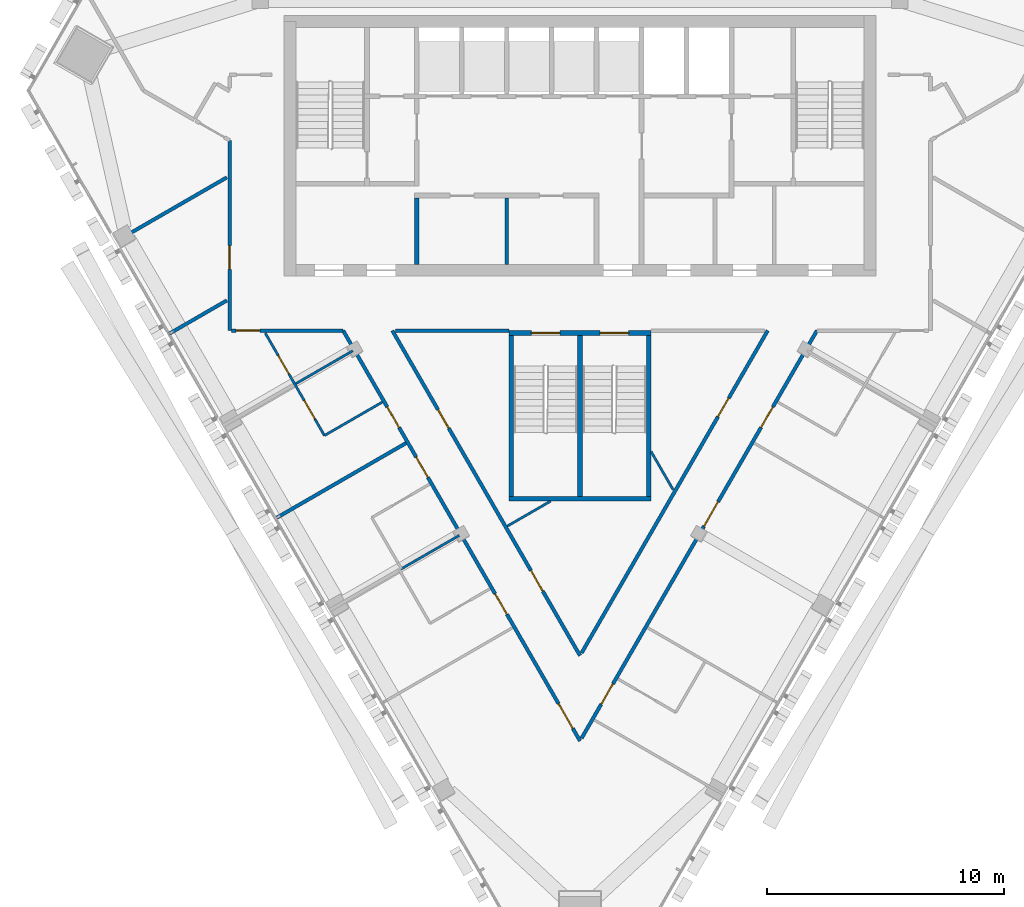
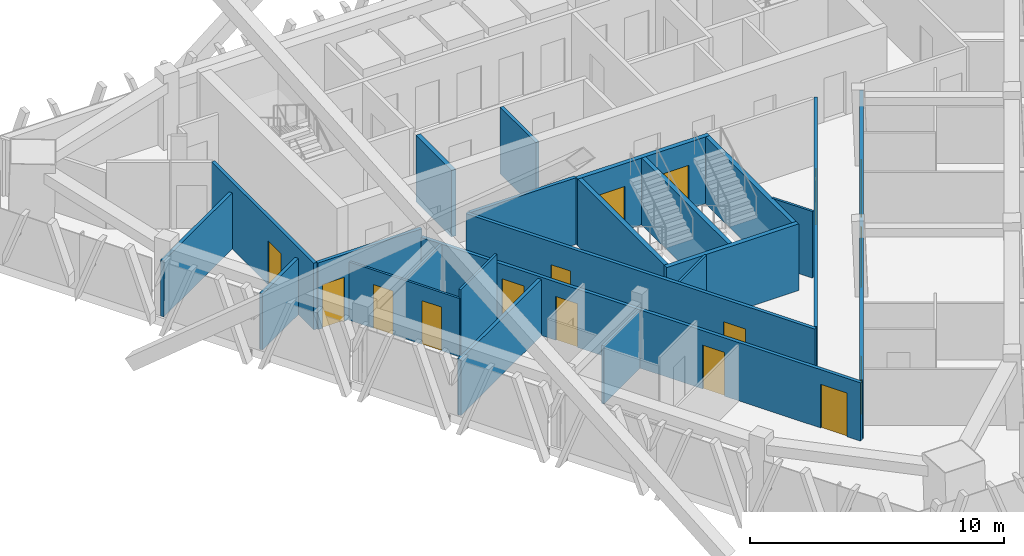
# One storey, part 8 of 14: 23 walls, 16 doors, 16 openings.
"""IFC4 building model written with IfcOpenShell, lengths in metres."""

from ifc_helpers import new_model, si_unit, direction, frame, frame_2d, origin, place, context, subcontext, project, spatial, rectangle, extrude, material, layer, layer_set, type_object, element, fill, save


model = new_model("IFC4")

# Units and contexts
model_context = context("Model", 3, precision=1e-05, world=origin(), true_north=direction((0.0, 1.0)))
body_context = subcontext(model_context, "Body", "Model", "MODEL_VIEW")
ifc_project = project(units=[si_unit("LENGTHUNIT", "METRE"), si_unit("AREAUNIT", "SQUARE_METRE"), si_unit("VOLUMEUNIT", "CUBIC_METRE"), si_unit("PLANEANGLEUNIT", "RADIAN"), si_unit("MASSUNIT", "GRAM", prefix="KILO")], contexts=[model_context])

# Site, building, storey
site_placement = place(None, origin())
site = spatial("IfcSite", under=ifc_project, at=site_placement, CompositionType="ELEMENT")
building_placement = place(site_placement, origin())
building = spatial("IfcBuilding", under=site, at=building_placement, Name="Altiplano Prism Tower", CompositionType="ELEMENT")
storey_placement = place(building_placement, frame((0.0, 0.0, 264.39990234375)))
storey = spatial("IfcBuildingStorey", under=building, at=storey_placement, Name="L68", CompositionType="ELEMENT", Elevation=264.39990234375)

# Wall, openings, doors
ifc_material_1 = material(Name="Plasterboard on steel stud", Category="steel")
ifc_layer_1 = layer(ifc_material_1, 0.10009765625)
ifc_layer_set_1 = layer_set([ifc_layer_1], Name="Plasterboard on steel stud")
wall_type_1 = type_object("IfcWallType", Name="Partition 100 unit", PredefinedType="PARTITIONING", material=ifc_layer_set_1)
wall_1_placement = place(storey_placement, frame((74.2060546875, 86.16845703125, 0.0), z_axis=(0.0, 0.0, 1.0), x_axis=(-0.500004234368, 0.866022959057, 0.0)))
wall_1 = element("IfcWall", 1, at=wall_1_placement, inside=storey, type_object=wall_type_1, Name="Partition P02 L68 027", PredefinedType="PARTITIONING", context=body_context, shape_type="SweptSolid", body=[
    extrude(rectangle(XDim=5.0, YDim=0.10009765625, at=frame_2d((2.5, 0.0))), origin(), (0.0, 0.0, 1.0), 2.800048828125),
])
opening_1_placement = place(wall_1_placement, frame((3.001953125, 0.0, 0.0)))
opening_1 = element("IfcOpeningElement", 2, at=opening_1_placement, cuts=wall_1, Name="Opening D2160", PredefinedType="OPENING", context=body_context, shape_type="SweptSolid", body=[
    extrude(rectangle(XDim=0.89990234375, YDim=2.10009765625, at=frame_2d((0.449951171875, 1.050048828125))), frame((0.0, 0.060546875, 0.0), z_axis=(0.0, -1.0, 0.0), x_axis=(1.0, 0.0, 0.0)), (0.0, 0.0, 1.0), 0.12109375),
])
opening_2_placement = place(wall_1_placement, frame((0.800048828125, 0.0, 0.0)))
opening_2 = element("IfcOpeningElement", 3, at=opening_2_placement, cuts=wall_1, Name="Opening D2162", PredefinedType="OPENING", context=body_context, shape_type="SweptSolid", body=[
    extrude(rectangle(XDim=0.89990234375, YDim=2.10009765625, at=frame_2d((0.449951171875, 1.050048828125))), frame((0.0, 0.060546875, 0.0), z_axis=(0.0, -1.0, 0.0), x_axis=(1.0, 0.0, 0.0)), (0.0, 0.0, 1.0), 0.12109375),
])
ifc_material_2 = material(Name="Timber", Category="wood")
door_type_1 = type_object("IfcDoorType", Name="Ensuite door 900 x 2100", OperationType="NOTDEFINED", PredefinedType="NOTDEFINED", material=ifc_material_2)
door_1_placement = place(opening_1_placement, origin())
door_1 = element("IfcDoor", 4, at=door_1_placement, inside=storey, type_object=door_type_1, Name="Door D2160", OperationType="SINGLE_SWING_LEFT", OverallHeight=2.10009765625, OverallWidth=0.89990234375, PredefinedType="NOTDEFINED", context=body_context, shape_type="SweptSolid", body=[
    extrude(rectangle(XDim=0.89990234375, YDim=2.10009765625, at=frame_2d((0.449951171875, 1.050048828125))), frame((0.0, 0.02490234375, 0.0), z_axis=(0.0, -1.0, 0.0), x_axis=(1.0, 0.0, 0.0)), (0.0, 0.0, 1.0), 0.050048828125),
])
fill(opening_1, door_1)
door_2_placement = place(opening_2_placement, origin())
door_2 = element("IfcDoor", 5, at=door_2_placement, inside=storey, type_object=door_type_1, Name="Door D2162", OperationType="SINGLE_SWING_RIGHT", OverallHeight=2.10009765625, OverallWidth=0.89990234375, PredefinedType="NOTDEFINED", context=body_context, shape_type="SweptSolid", body=[
    extrude(rectangle(XDim=0.89990234375, YDim=2.10009765625, at=frame_2d((0.449951171875, 1.050048828125))), frame((0.0, 0.02490234375, 0.0), z_axis=(0.0, -1.0, 0.0), x_axis=(1.0, 0.0, 0.0)), (0.0, 0.0, 1.0), 0.050048828125),
])
fill(opening_2, door_2)

# Walls
wall_2_placement = place(storey_placement, frame((76.652587890625, 87.580810546875, 0.0), z_axis=(0.0, 0.0, 1.0), x_axis=(-0.866048868473, -0.499959355765, 0.0)))
element("IfcWall", 6, at=wall_2_placement, inside=storey, type_object=wall_type_1, Name="Partition P02 L68 030", PredefinedType="PARTITIONING", context=body_context, shape_type="SweptSolid", body=[
    extrude(rectangle(XDim=2.824951171875, YDim=0.10009765625, at=frame_2d((1.41259765625, 0.0))), origin(), (0.0, 0.0, 1.0), 3.2001953125),
])
ifc_layer_2 = layer(ifc_material_1, 0.10009765625)
ifc_layer_set_2 = layer_set([ifc_layer_2], Name="Plasterboard on steel stud")
wall_type_2 = type_object("IfcWallType", Name="Partition 100 wet", PredefinedType="PARTITIONING", material=ifc_layer_set_2)
wall_3_placement = place(storey_placement, frame((88.0, 85.4921875, 0.0), z_axis=(0.0, 0.0, 1.0), x_axis=(0.499991230095, -0.866030467032, 0.0)))
element("IfcWall", 7, at=wall_3_placement, inside=storey, type_object=wall_type_2, Name="Partition P03 L68 021", PredefinedType="PARTITIONING", context=body_context, shape_type="SweptSolid", body=[
    extrude(rectangle(XDim=1.86083984375, YDim=0.10009765625, at=frame_2d((0.930419921875, 0.0))), origin(), (0.0, 0.0, 1.0), 3.2001953125),
])
wall_4_placement = place(storey_placement, frame((81.928955078125, 82.342041015625, 0.0), z_axis=(0.0, 0.0, 1.0), x_axis=(0.866026091839, 0.499998808253, 0.0)))
element("IfcWall", 8, at=wall_4_placement, inside=storey, type_object=wall_type_2, Name="Partition P03 L68 022", PredefinedType="PARTITIONING", context=body_context, shape_type="SweptSolid", body=[
    extrude(rectangle(XDim=2.11572265625, YDim=0.10009765625, at=frame_2d((1.057861328125, 0.0))), origin(), (0.0, 0.0, 1.0), 3.2001953125),
])
wall_5_placement = place(storey_placement, frame((72.999267578125, 88.3583984375, 0.0), z_axis=(0.0, 0.0, 1.0), x_axis=(0.866042014628, 0.499971228071, 0.0)))
element("IfcWall", 9, at=wall_5_placement, inside=storey, type_object=wall_type_2, Name="Partition P03 L68 029", PredefinedType="PARTITIONING", context=body_context, shape_type="SweptSolid", body=[
    extrude(rectangle(XDim=2.775146484375, YDim=0.10009765625, at=frame_2d((1.3876953125, 0.0))), origin(), (0.0, 0.0, 1.0), 2.800048828125),
])
wall_6_placement = place(storey_placement, frame((77.438720703125, 80.529296875, 0.0), z_axis=(0.0, 0.0, 1.0), x_axis=(0.866048401274, 0.499960165064, 0.0)))
element("IfcWall", 10, at=wall_6_placement, inside=storey, type_object=wall_type_2, Name="Partition P03 L68 036", PredefinedType="PARTITIONING", context=body_context, shape_type="SweptSolid", body=[
    extrude(rectangle(XDim=2.844970703125, YDim=0.10009765625, at=frame_2d((1.42236328125, 0.0))), origin(), (0.0, 0.0, 1.0), 2.800048828125),
])

# Wall, openings, doors
ifc_layer_3 = layer(ifc_material_1, 0.14990234375)
ifc_layer_set_3 = layer_set([ifc_layer_3], Name="Plasterboard on steel stud")
wall_type_3 = type_object("IfcWallType", Name="Partition 150 corridor", PredefinedType="PARTITIONING", material=ifc_layer_set_3)
wall_7_placement = place(storey_placement, frame((85.0, 76.872802734375, 0.0), z_axis=(0.0, 0.0, 1.0), x_axis=(-0.500003770635, 0.866023226796, 0.0)))
wall_7 = element("IfcWall", 11, at=wall_7_placement, inside=storey, type_object=wall_type_3, Name="Partition P06 L68 002", PredefinedType="PARTITIONING", context=body_context, shape_type="SweptSolid", body=[
    extrude(rectangle(XDim=15.85107421875, YDim=0.14990234375, at=frame_2d((7.925537109375, 0.0))), origin(), (0.0, 0.0, 1.0), 3.2001953125),
])
opening_3_placement = place(wall_7_placement, frame((11.090087890625, 0.0, 0.0)))
opening_3 = element("IfcOpeningElement", 12, at=opening_3_placement, cuts=wall_7, Name="Opening D2155", PredefinedType="OPENING", context=body_context, shape_type="SweptSolid", body=[
    extrude(rectangle(XDim=0.89990234375, YDim=2.10009765625, at=frame_2d((0.449951171875, 1.050048828125))), frame((0.0, 0.08544921875, 0.0), z_axis=(0.0, -1.0, 0.0), x_axis=(1.0, 0.0, 0.0)), (0.0, 0.0, 1.0), 0.1708984375),
])
opening_4_placement = place(wall_7_placement, frame((3.14306640625, 0.0, 0.0)))
opening_4 = element("IfcOpeningElement", 13, at=opening_4_placement, cuts=wall_7, Name="Opening D2156", PredefinedType="OPENING", context=body_context, shape_type="SweptSolid", body=[
    extrude(rectangle(XDim=1.0, YDim=2.10009765625, at=frame_2d((0.5, 1.050048828125))), frame((0.0, 0.08544921875, 0.0), z_axis=(0.0, -1.0, 0.0), x_axis=(1.0, 0.0, 0.0)), (0.0, 0.0, 1.0), 0.1708984375),
])
door_type_2 = type_object("IfcDoorType", Name="Store door 1000 x 2100", OperationType="NOTDEFINED", PredefinedType="NOTDEFINED", material=ifc_material_2)
door_3_placement = place(opening_4_placement, origin())
door_3 = element("IfcDoor", 14, at=door_3_placement, inside=storey, type_object=door_type_2, Name="Door D2156", OperationType="SINGLE_SWING_LEFT", OverallHeight=2.10009765625, OverallWidth=1.0, PredefinedType="NOTDEFINED", context=body_context, shape_type="SweptSolid", body=[
    extrude(rectangle(XDim=1.0, YDim=2.10009765625, at=frame_2d((0.5, 1.050048828125))), frame((0.0, 0.02490234375, 0.0), z_axis=(0.0, -1.0, 0.0), x_axis=(1.0, 0.0, 0.0)), (0.0, 0.0, 1.0), 0.050048828125),
])
fill(opening_4, door_3)
door_type_3 = type_object("IfcDoorType", Name="Toilet door 900 x 2100", OperationType="NOTDEFINED", PredefinedType="NOTDEFINED", material=ifc_material_2)
door_4_placement = place(opening_3_placement, origin())
door_4 = element("IfcDoor", 15, at=door_4_placement, inside=storey, type_object=door_type_3, Name="Door D2155", OperationType="SINGLE_SWING_RIGHT", OverallHeight=2.10009765625, OverallWidth=0.89990234375, PredefinedType="NOTDEFINED", context=body_context, shape_type="SweptSolid", body=[
    extrude(rectangle(XDim=0.89990234375, YDim=2.10009765625, at=frame_2d((0.449951171875, 1.050048828125))), frame((0.0, 0.02490234375, 0.0), z_axis=(0.0, -1.0, 0.0), x_axis=(1.0, 0.0, 0.0)), (0.0, 0.0, 1.0), 0.050048828125),
])
fill(opening_3, door_4)

# Wall
wall_8_placement = place(storey_placement, frame((77.20458984375, 90.599853515625, 0.0), z_axis=(0.0, 0.0, 1.0), x_axis=(0.999999988336, -0.000152733936, 0.0)))
element("IfcWall", 16, at=wall_8_placement, inside=storey, type_object=wall_type_3, Name="Partition P06 L68 003", PredefinedType="PARTITIONING", context=body_context, shape_type="SweptSolid", body=[
    extrude(rectangle(XDim=4.79541015625, YDim=0.14990234375, at=frame_2d((2.397705078125, 0.0))), origin(), (0.0, 0.0, 1.0), 3.2001953125),
])

# Wall, opening, door
wall_9_placement = place(storey_placement, frame((92.925537109375, 90.60009765625, 0.0), z_axis=(0.0, 0.0, 1.0), x_axis=(-0.499998923094, -0.866026025536, 0.0)))
wall_9 = element("IfcWall", 17, at=wall_9_placement, inside=storey, type_object=wall_type_3, Name="Partition P06 L68 004", PredefinedType="PARTITIONING", context=body_context, shape_type="SweptSolid", body=[
    extrude(rectangle(XDim=15.72119140625, YDim=0.14990234375, at=frame_2d((7.860595703125, 0.0))), origin(), (0.0, 0.0, 1.0), 3.2001953125),
])
opening_5_placement = place(wall_9_placement, frame((3.2958984375, 0.0, 0.0)))
opening_5 = element("IfcOpeningElement", 18, at=opening_5_placement, cuts=wall_9, Name="Opening D2154", PredefinedType="OPENING", context=body_context, shape_type="SweptSolid", body=[
    extrude(rectangle(XDim=0.89990234375, YDim=2.10009765625, at=frame_2d((0.449951171875, 1.050048828125))), frame((0.0, 0.08544921875, 0.0), z_axis=(0.0, -1.0, 0.0), x_axis=(1.0, 0.0, 0.0)), (0.0, 0.0, 1.0), 0.1708984375),
])
door_5_placement = place(opening_5_placement, origin())
door_5 = element("IfcDoor", 19, at=door_5_placement, inside=storey, type_object=door_type_3, Name="Door D2154", OperationType="SINGLE_SWING_LEFT", OverallHeight=2.10009765625, OverallWidth=0.89990234375, PredefinedType="NOTDEFINED", context=body_context, shape_type="SweptSolid", body=[
    extrude(rectangle(XDim=0.89990234375, YDim=2.10009765625, at=frame_2d((0.449951171875, 1.050048828125))), frame((0.0, 0.02490234375, 0.0), z_axis=(0.0, -1.0, 0.0), x_axis=(1.0, 0.0, 0.0)), (0.0, 0.0, 1.0), 0.050048828125),
])
fill(opening_5, door_5)

wall_10_placement = place(storey_placement, frame((70.199951171875, 98.6357421875, 0.0), z_axis=(0.0, 0.0, 1.0), x_axis=(0.0, -1.0, 0.0)))
wall_10 = element("IfcWall", 20, at=wall_10_placement, inside=storey, type_object=wall_type_3, Name="Partition P06 L68 006", PredefinedType="PARTITIONING", context=body_context, shape_type="SweptSolid", body=[
    extrude(rectangle(XDim=8.03564453125, YDim=0.14990234375, at=frame_2d((4.017822265625, 0.0))), origin(), (0.0, 0.0, 1.0), 3.2001953125),
])
opening_6_placement = place(wall_10_placement, frame((4.449951171875, 0.0, 0.0)))
opening_6 = element("IfcOpeningElement", 21, at=opening_6_placement, cuts=wall_10, Name="Opening D2158", PredefinedType="OPENING", context=body_context, shape_type="SweptSolid", body=[
    extrude(rectangle(XDim=1.0, YDim=2.10009765625, at=frame_2d((0.5, 1.050048828125))), frame((0.0, 0.08544921875, 0.0), z_axis=(0.0, -1.0, 0.0), x_axis=(1.0, 0.0, 0.0)), (0.0, 0.0, 1.0), 0.1708984375),
])
door_type_4 = type_object("IfcDoorType", Name="Room door 1000 x 2100", OperationType="NOTDEFINED", PredefinedType="NOTDEFINED", material=ifc_material_2)
door_6_placement = place(opening_6_placement, origin())
door_6 = element("IfcDoor", 22, at=door_6_placement, inside=storey, type_object=door_type_4, Name="Door D2158", OperationType="SINGLE_SWING_RIGHT", OverallHeight=2.10009765625, OverallWidth=1.0, PredefinedType="NOTDEFINED", context=body_context, shape_type="SweptSolid", body=[
    extrude(rectangle(XDim=1.0, YDim=2.10009765625, at=frame_2d((0.5, 1.050048828125))), frame((0.0, 0.02490234375, 0.0), z_axis=(0.0, -1.0, 0.0), x_axis=(1.0, 0.0, 0.0)), (0.0, 0.0, 1.0), 0.050048828125),
])
fill(opening_6, door_6)

wall_11_placement = place(storey_placement, frame((70.27490234375, 90.60009765625, 0.0), z_axis=(0.0, 0.0, 1.0), x_axis=(1.0, 0.0, 0.0)))
wall_11 = element("IfcWall", 23, at=wall_11_placement, inside=storey, type_object=wall_type_3, Name="Partition P06 L68 007", PredefinedType="PARTITIONING", context=body_context, shape_type="SweptSolid", body=[
    extrude(rectangle(XDim=4.72119140625, YDim=0.14990234375, at=frame_2d((2.360595703125, 0.0))), origin(), (0.0, 0.0, 1.0), 3.2001953125),
])
opening_7_placement = place(wall_11_placement, frame((0.199951171875, 0.0, 0.0)))
opening_7 = element("IfcOpeningElement", 24, at=opening_7_placement, cuts=wall_11, Name="Opening D2159", PredefinedType="OPENING", context=body_context, shape_type="SweptSolid", body=[
    extrude(rectangle(XDim=1.0, YDim=2.10009765625, at=frame_2d((0.5, 1.050048828125))), frame((0.0, 0.08544921875, 0.0), z_axis=(0.0, -1.0, 0.0), x_axis=(1.0, 0.0, 0.0)), (0.0, 0.0, 1.0), 0.1708984375),
])
door_type_5 = type_object("IfcDoorType", Name="Bedroom entrance door 1000 x 2100", OperationType="NOTDEFINED", PredefinedType="NOTDEFINED", material=ifc_material_2)
door_7_placement = place(opening_7_placement, origin())
door_7 = element("IfcDoor", 25, at=door_7_placement, inside=storey, type_object=door_type_5, Name="Door D2159", OperationType="SINGLE_SWING_LEFT", OverallHeight=2.10009765625, OverallWidth=1.0, PredefinedType="NOTDEFINED", context=body_context, shape_type="SweptSolid", body=[
    extrude(rectangle(XDim=1.0, YDim=2.10009765625, at=frame_2d((0.5, 1.050048828125))), frame((0.0, 0.02490234375, 0.0), z_axis=(0.0, -1.0, 0.0), x_axis=(1.0, 0.0, 0.0)), (0.0, 0.0, 1.0), 0.050048828125),
])
fill(opening_7, door_7)

# Wall, openings, doors
wall_12_placement = place(storey_placement, frame((74.99609375, 90.60009765625, 0.0), z_axis=(0.0, 0.0, 1.0), x_axis=(0.499997431539, -0.866026886681, 0.0)))
wall_12 = element("IfcWall", 26, at=wall_12_placement, inside=storey, type_object=wall_type_3, Name="Partition P06 L68 008", PredefinedType="PARTITIONING", context=body_context, shape_type="SweptSolid", body=[
    extrude(rectangle(XDim=20.0078125, YDim=0.14990234375, at=frame_2d((10.00390625, 0.0))), origin(), (0.0, 0.0, 1.0), 2.800048828125),
])
opening_8_placement = place(wall_12_placement, frame((3.721923828125, 0.0, 0.0)))
opening_8 = element("IfcOpeningElement", 27, at=opening_8_placement, cuts=wall_12, Name="Opening D2161", PredefinedType="OPENING", context=body_context, shape_type="SweptSolid", body=[
    extrude(rectangle(XDim=1.0, YDim=2.10009765625, at=frame_2d((0.5, 1.050048828125))), frame((0.0, 0.08544921875, 0.0), z_axis=(0.0, -1.0, 0.0), x_axis=(1.0, 0.0, 0.0)), (0.0, 0.0, 1.0), 0.1708984375),
])
opening_9_placement = place(wall_12_placement, frame((6.1630859375, 0.0, 0.0)))
opening_9 = element("IfcOpeningElement", 28, at=opening_9_placement, cuts=wall_12, Name="Opening D2163", PredefinedType="OPENING", context=body_context, shape_type="SweptSolid", body=[
    extrude(rectangle(XDim=1.0, YDim=2.10009765625, at=frame_2d((0.5, 1.050048828125))), frame((0.0, 0.08544921875, 0.0), z_axis=(0.0, -1.0, 0.0), x_axis=(1.0, 0.0, 0.0)), (0.0, 0.0, 1.0), 0.1708984375),
])
opening_10_placement = place(wall_12_placement, frame((12.837890625, 0.0, 0.0)))
opening_10 = element("IfcOpeningElement", 29, at=opening_10_placement, cuts=wall_12, Name="Opening D2165", PredefinedType="OPENING", context=body_context, shape_type="SweptSolid", body=[
    extrude(rectangle(XDim=1.0, YDim=2.10009765625, at=frame_2d((0.5, 1.050048828125))), frame((0.0, 0.08544921875, 0.0), z_axis=(0.0, -1.0, 0.0), x_axis=(1.0, 0.0, 0.0)), (0.0, 0.0, 1.0), 0.1708984375),
])
opening_11_placement = place(wall_12_placement, frame((18.195068359375, 0.0, 0.0)))
opening_11 = element("IfcOpeningElement", 30, at=opening_11_placement, cuts=wall_12, Name="Opening D2167", PredefinedType="OPENING", context=body_context, shape_type="SweptSolid", body=[
    extrude(rectangle(XDim=1.199951171875, YDim=2.10009765625, at=frame_2d((0.60009765625, 1.050048828125))), frame((0.0, 0.08544921875, 0.0), z_axis=(0.0, -1.0, 0.0), x_axis=(1.0, 0.0, 0.0)), (0.0, 0.0, 1.0), 0.1708984375),
])
door_8_placement = place(opening_8_placement, origin())
door_8 = element("IfcDoor", 31, at=door_8_placement, inside=storey, type_object=door_type_5, Name="Door D2161", OperationType="SINGLE_SWING_LEFT", OverallHeight=2.10009765625, OverallWidth=1.0, PredefinedType="NOTDEFINED", context=body_context, shape_type="SweptSolid", body=[
    extrude(rectangle(XDim=1.0, YDim=2.10009765625, at=frame_2d((0.5, 1.050048828125))), frame((0.0, 0.02490234375, 0.0), z_axis=(0.0, -1.0, 0.0), x_axis=(1.0, 0.0, 0.0)), (0.0, 0.0, 1.0), 0.050048828125),
])
fill(opening_8, door_8)
door_9_placement = place(opening_9_placement, origin())
door_9 = element("IfcDoor", 32, at=door_9_placement, inside=storey, type_object=door_type_5, Name="Door D2163", OperationType="SINGLE_SWING_LEFT", OverallHeight=2.10009765625, OverallWidth=1.0, PredefinedType="NOTDEFINED", context=body_context, shape_type="SweptSolid", body=[
    extrude(rectangle(XDim=1.0, YDim=2.10009765625, at=frame_2d((0.5, 1.050048828125))), frame((0.0, 0.02490234375, 0.0), z_axis=(0.0, -1.0, 0.0), x_axis=(1.0, 0.0, 0.0)), (0.0, 0.0, 1.0), 0.050048828125),
])
fill(opening_9, door_9)
door_10_placement = place(opening_10_placement, origin())
door_10 = element("IfcDoor", 33, at=door_10_placement, inside=storey, type_object=door_type_5, Name="Door D2165", OperationType="SINGLE_SWING_RIGHT", OverallHeight=2.10009765625, OverallWidth=1.0, PredefinedType="NOTDEFINED", context=body_context, shape_type="SweptSolid", body=[
    extrude(rectangle(XDim=1.0, YDim=2.10009765625, at=frame_2d((0.5, 1.050048828125))), frame((0.0, 0.02490234375, 0.0), z_axis=(0.0, -1.0, 0.0), x_axis=(1.0, 0.0, 0.0)), (0.0, 0.0, 1.0), 0.050048828125),
])
fill(opening_10, door_10)
door_type_6 = type_object("IfcDoorType", Name="Shared room door 1200 x 2100", OperationType="NOTDEFINED", PredefinedType="NOTDEFINED", material=ifc_material_2)
door_11_placement = place(opening_11_placement, origin())
door_11 = element("IfcDoor", 34, at=door_11_placement, inside=storey, type_object=door_type_6, Name="Door D2167", OperationType="SINGLE_SWING_LEFT", OverallHeight=2.10009765625, OverallWidth=1.199951171875, PredefinedType="NOTDEFINED", context=body_context, shape_type="SweptSolid", body=[
    extrude(rectangle(XDim=1.199951171875, YDim=2.10009765625, at=frame_2d((0.60009765625, 1.050048828125))), frame((0.0, 0.02490234375, 0.0), z_axis=(0.0, -1.0, 0.0), x_axis=(1.0, 0.0, 0.0)), (0.0, 0.0, 1.0), 0.050048828125),
])
fill(opening_11, door_11)

wall_13_placement = place(storey_placement, frame((85.06494140625, 73.38525390625, 0.0), z_axis=(0.0, 0.0, 1.0), x_axis=(0.499998874531, 0.866026053573, 0.0)))
wall_13 = element("IfcWall", 35, at=wall_13_placement, inside=storey, type_object=wall_type_3, Name="Partition P06 L68 009", PredefinedType="PARTITIONING", context=body_context, shape_type="SweptSolid", body=[
    extrude(rectangle(XDim=19.8779296875, YDim=0.14990234375, at=frame_2d((9.93896484375, 0.0))), origin(), (0.0, 0.0, 1.0), 2.800048828125),
])
opening_12_placement = place(wall_13_placement, frame((1.656005859375, 0.0, 0.0)))
opening_12 = element("IfcOpeningElement", 36, at=opening_12_placement, cuts=wall_13, Name="Opening D2168", PredefinedType="OPENING", context=body_context, shape_type="SweptSolid", body=[
    extrude(rectangle(XDim=1.0, YDim=2.10009765625, at=frame_2d((0.5, 1.050048828125))), frame((0.0, 0.08544921875, 0.0), z_axis=(0.0, -1.0, 0.0), x_axis=(1.0, 0.0, 0.0)), (0.0, 0.0, 1.0), 0.1708984375),
])
opening_13_placement = place(wall_13_placement, frame((10.3349609375, 0.0, 0.0)))
opening_13 = element("IfcOpeningElement", 37, at=opening_13_placement, cuts=wall_13, Name="Opening D2170", PredefinedType="OPENING", context=body_context, shape_type="SweptSolid", body=[
    extrude(rectangle(XDim=1.199951171875, YDim=2.10009765625, at=frame_2d((0.60009765625, 1.050048828125))), frame((0.0, 0.08544921875, 0.0), z_axis=(0.0, -1.0, 0.0), x_axis=(1.0, 0.0, 0.0)), (0.0, 0.0, 1.0), 0.1708984375),
])
opening_14_placement = place(wall_13_placement, frame((15.156005859375, 0.0, 0.0)))
opening_14 = element("IfcOpeningElement", 38, at=opening_14_placement, cuts=wall_13, Name="Opening D2171", PredefinedType="OPENING", context=body_context, shape_type="SweptSolid", body=[
    extrude(rectangle(XDim=1.0, YDim=2.10009765625, at=frame_2d((0.5, 1.050048828125))), frame((0.0, 0.08544921875, 0.0), z_axis=(0.0, -1.0, 0.0), x_axis=(1.0, 0.0, 0.0)), (0.0, 0.0, 1.0), 0.1708984375),
])
door_12_placement = place(opening_12_placement, origin())
door_12 = element("IfcDoor", 39, at=door_12_placement, inside=storey, type_object=door_type_5, Name="Door D2168", OperationType="SINGLE_SWING_LEFT", OverallHeight=2.10009765625, OverallWidth=1.0, PredefinedType="NOTDEFINED", context=body_context, shape_type="SweptSolid", body=[
    extrude(rectangle(XDim=1.0, YDim=2.10009765625, at=frame_2d((0.5, 1.050048828125))), frame((0.0, 0.02490234375, 0.0), z_axis=(0.0, -1.0, 0.0), x_axis=(1.0, 0.0, 0.0)), (0.0, 0.0, 1.0), 0.050048828125),
])
fill(opening_12, door_12)
door_13_placement = place(opening_14_placement, origin())
door_13 = element("IfcDoor", 40, at=door_13_placement, inside=storey, type_object=door_type_5, Name="Door D2171", OperationType="SINGLE_SWING_RIGHT", OverallHeight=2.10009765625, OverallWidth=1.0, PredefinedType="NOTDEFINED", context=body_context, shape_type="SweptSolid", body=[
    extrude(rectangle(XDim=1.0, YDim=2.10009765625, at=frame_2d((0.5, 1.050048828125))), frame((0.0, 0.02490234375, 0.0), z_axis=(0.0, -1.0, 0.0), x_axis=(1.0, 0.0, 0.0)), (0.0, 0.0, 1.0), 0.050048828125),
])
fill(opening_14, door_13)
door_14_placement = place(opening_13_placement, origin())
door_14 = element("IfcDoor", 41, at=door_14_placement, inside=storey, type_object=door_type_6, Name="Door D2170", OperationType="SINGLE_SWING_LEFT", OverallHeight=2.10009765625, OverallWidth=1.199951171875, PredefinedType="NOTDEFINED", context=body_context, shape_type="SweptSolid", body=[
    extrude(rectangle(XDim=1.199951171875, YDim=2.10009765625, at=frame_2d((0.60009765625, 1.050048828125))), frame((0.0, 0.02490234375, 0.0), z_axis=(0.0, -1.0, 0.0), x_axis=(1.0, 0.0, 0.0)), (0.0, 0.0, 1.0), 0.050048828125),
])
fill(opening_13, door_14)

# Walls
ifc_layer_4 = layer(ifc_material_1, 0.14990234375)
ifc_layer_set_4 = layer_set([ifc_layer_4], Name="Plasterboard on steel stud")
wall_type_4 = type_object("IfcWallType", Name="Partition 150 party", PredefinedType="PARTITIONING", material=ifc_layer_set_4)
wall_14_placement = place(storey_placement, frame((65.425048828125, 94.377685546875, 0.0), z_axis=(0.0, 0.0, 1.0), x_axis=(0.866018689825, 0.500011628738, 0.0)))
element("IfcWall", 42, at=wall_14_placement, inside=storey, type_object=wall_type_4, Name="Partition P01 L68 023", PredefinedType="PARTITIONING", context=body_context, shape_type="SweptSolid", body=[
    extrude(rectangle(XDim=5.383544921875, YDim=0.14990234375, at=frame_2d((2.69189453125, 0.0))), origin(), (0.0, 0.0, 1.0), 2.7001953125),
])
wall_15_placement = place(storey_placement, frame((67.657470703125, 90.470458984375, 0.0), z_axis=(0.0, 0.0, 1.0), x_axis=(0.866001562501, 0.500041292042, 0.0)))
element("IfcWall", 43, at=wall_15_placement, inside=storey, type_object=wall_type_4, Name="Partition P01 L68 026", PredefinedType="PARTITIONING", context=body_context, shape_type="SweptSolid", body=[
    extrude(rectangle(XDim=2.805908203125, YDim=0.14990234375, at=frame_2d((1.40283203125, 0.0))), origin(), (0.0, 0.0, 1.0), 2.7001953125),
])
wall_16_placement = place(storey_placement, frame((72.157470703125, 82.67626953125, 0.0), z_axis=(0.0, 0.0, 1.0), x_axis=(0.866025401434, 0.500000004071, 0.0)))
element("IfcWall", 44, at=wall_16_placement, inside=storey, type_object=wall_type_4, Name="Partition P01 L68 031", PredefinedType="PARTITIONING", context=body_context, shape_type="SweptSolid", body=[
    extrude(rectangle(XDim=6.34521484375, YDim=0.14990234375, at=frame_2d((3.172607421875, 0.0))), origin(), (0.0, 0.0, 1.0), 2.7001953125),
])
ifc_material_3 = material(Name="Fire-rated gypsum board partition")
ifc_layer_5 = layer(ifc_material_3, 0.14990234375)
ifc_layer_set_5 = layer_set([ifc_layer_5], Name="Fire-rated gypsum board partition")
wall_type_5 = type_object("IfcWallType", Name="Room partition 150", PredefinedType="PARTITIONING", material=ifc_layer_set_5)
wall_17_placement = place(storey_placement, frame((81.89990234375, 93.39990234375, 0.0), z_axis=(0.0, 0.0, 1.0), x_axis=(0.0, 1.0, 0.0)))
element("IfcWall", 45, at=wall_17_placement, inside=storey, type_object=wall_type_5, Name="Room partition L68", PredefinedType="PARTITIONING", context=body_context, shape_type="SweptSolid", body=[
    extrude(rectangle(XDim=2.800048828125, YDim=0.14990234375, at=frame_2d((1.39990234375, 0.0))), origin(), (0.0, 0.0, 1.0), 3.2001953125),
])

# Wall, openings, doors
ifc_material_4 = material(Name="Concrete C60/75", Category="concrete")
ifc_layer_6 = layer(ifc_material_4, 0.199951171875)
ifc_layer_set_6 = layer_set([ifc_layer_6], Name="Concrete C60/75")
wall_type_6 = type_object("IfcWallType", Name="Stair wall 200", PredefinedType="SOLIDWALL", material=ifc_layer_set_6)
wall_18_placement = place(storey_placement, frame((82.0, 90.5, 0.0), z_axis=(0.0, 0.0, 1.0), x_axis=(1.0, 0.0, 0.0)))
wall_18 = element("IfcWall", 46, at=wall_18_placement, inside=storey, type_object=wall_type_6, Name="Stair 3 wall north L68", PredefinedType="SOLIDWALL", context=body_context, shape_type="SweptSolid", body=[
    extrude(rectangle(XDim=6.0, YDim=0.199951171875, at=frame_2d((3.0, 0.0))), origin(), (0.0, 0.0, 1.0), 3.2001953125),
])
opening_15_placement = place(wall_18_placement, frame((0.949951171875, 0.0, 0.0)))
opening_15 = element("IfcOpeningElement", 47, at=opening_15_placement, cuts=wall_18, Name="Opening D4058", PredefinedType="OPENING", context=body_context, shape_type="SweptSolid", body=[
    extrude(rectangle(XDim=1.199951171875, YDim=2.10009765625, at=frame_2d((0.60009765625, 1.050048828125))), frame((0.0, 0.1103515625, 0.0), z_axis=(0.0, -1.0, 0.0), x_axis=(1.0, 0.0, 0.0)), (0.0, 0.0, 1.0), 0.220947265625),
])
opening_16_placement = place(wall_18_placement, frame((3.85009765625, 0.0, 0.0)))
opening_16 = element("IfcOpeningElement", 48, at=opening_16_placement, cuts=wall_18, Name="Opening D4059", PredefinedType="OPENING", context=body_context, shape_type="SweptSolid", body=[
    extrude(rectangle(XDim=1.199951171875, YDim=2.10009765625, at=frame_2d((0.60009765625, 1.050048828125))), frame((0.0, 0.1103515625, 0.0), z_axis=(0.0, -1.0, 0.0), x_axis=(1.0, 0.0, 0.0)), (0.0, 0.0, 1.0), 0.220947265625),
])
ifc_material_5 = material(Name="Fire-rated steel door", Category="steel")
door_type_7 = type_object("IfcDoorType", Name="Stair fire door 1200 x 2100", OperationType="NOTDEFINED", PredefinedType="NOTDEFINED", material=ifc_material_5)
door_15_placement = place(opening_15_placement, origin())
door_15 = element("IfcDoor", 49, at=door_15_placement, inside=storey, type_object=door_type_7, Name="Stair fire door D4058", OperationType="SINGLE_SWING_LEFT", OverallHeight=2.10009765625, OverallWidth=1.199951171875, PredefinedType="NOTDEFINED", context=body_context, shape_type="SweptSolid", body=[
    extrude(rectangle(XDim=1.199951171875, YDim=2.10009765625, at=frame_2d((0.60009765625, 1.050048828125))), frame((0.0, 0.02490234375, 0.0), z_axis=(0.0, -1.0, 0.0), x_axis=(1.0, 0.0, 0.0)), (0.0, 0.0, 1.0), 0.050048828125),
])
fill(opening_15, door_15)
door_16_placement = place(opening_16_placement, origin())
door_16 = element("IfcDoor", 50, at=door_16_placement, inside=storey, type_object=door_type_7, Name="Stair fire door D4059", OperationType="SINGLE_SWING_LEFT", OverallHeight=2.10009765625, OverallWidth=1.199951171875, PredefinedType="NOTDEFINED", context=body_context, shape_type="SweptSolid", body=[
    extrude(rectangle(XDim=1.199951171875, YDim=2.10009765625, at=frame_2d((0.60009765625, 1.050048828125))), frame((0.0, 0.02490234375, 0.0), z_axis=(0.0, -1.0, 0.0), x_axis=(1.0, 0.0, 0.0)), (0.0, 0.0, 1.0), 0.050048828125),
])
fill(opening_16, door_16)

# Walls
wall_19_placement = place(storey_placement, frame((82.0, 83.5, 0.0), z_axis=(0.0, 0.0, 1.0), x_axis=(1.0, 0.0, 0.0)))
element("IfcWall", 51, at=wall_19_placement, inside=storey, type_object=wall_type_6, Name="Stair 3 wall south L68", PredefinedType="SOLIDWALL", context=body_context, shape_type="SweptSolid", body=[
    extrude(rectangle(XDim=6.0, YDim=0.199951171875, at=frame_2d((3.0, 0.0))), origin(), (0.0, 0.0, 1.0), 3.2001953125),
])
for number, where, z_axis, x_axis, name in (
    (52, (82.10009765625, 83.60009765625, 0.0), (0.0, 0.0, 1.0), (0.0, 1.0, 0.0), "Stair 3 wall west L68"),
    (53, (87.89990234375, 83.60009765625, 0.0), (0.0, 0.0, 1.0), (0.0, 1.0, 0.0), "Stair 3 wall east L68"),
    (54, (85.0, 83.60009765625, 0.0), (0.0, 0.0, 1.0), (0.0, 1.0, 0.0), "Stair 3 wall divider L68"),
):
    element("IfcWall", number, at=place(storey_placement, frame(where, z_axis=z_axis, x_axis=x_axis)), inside=storey, type_object=wall_type_6, Name=name, PredefinedType="SOLIDWALL", context=body_context, shape_type="SweptSolid", body=[
        extrude(rectangle(XDim=6.7998046875, YDim=0.199951171875, at=frame_2d((3.39990234375, 0.0))), origin(), (0.0, 0.0, 1.0), 3.2001953125),
    ])
ifc_layer_7 = layer(ifc_material_4, 0.199951171875)
ifc_layer_set_7 = layer_set([ifc_layer_7], Name="Concrete C60/75")
wall_type_7 = type_object("IfcWallType", Name="Vestibule wall 200", PredefinedType="PARTITIONING", material=ifc_layer_set_7)
wall_20_placement = place(storey_placement, frame((78.10009765625, 93.39990234375, 0.0), z_axis=(0.0, 0.0, 1.0), x_axis=(0.0, 1.0, 0.0)))
element("IfcWall", 55, at=wall_20_placement, inside=storey, type_object=wall_type_7, Name="Vestibule wall L68", PredefinedType="PARTITIONING", context=body_context, shape_type="SweptSolid", body=[
    extrude(rectangle(XDim=2.800048828125, YDim=0.199951171875, at=frame_2d((1.39990234375, 0.0))), origin(), (0.0, 0.0, 1.0), 3.2001953125),
])

save(model, "model.ifc")
